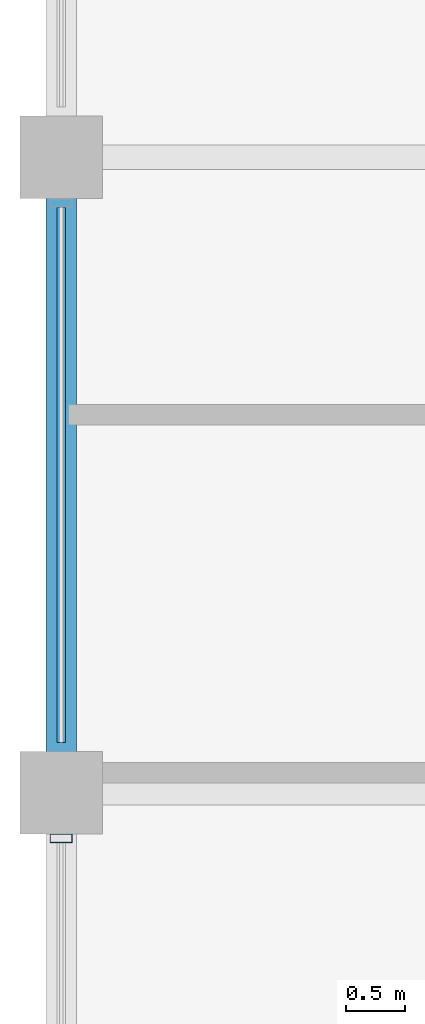
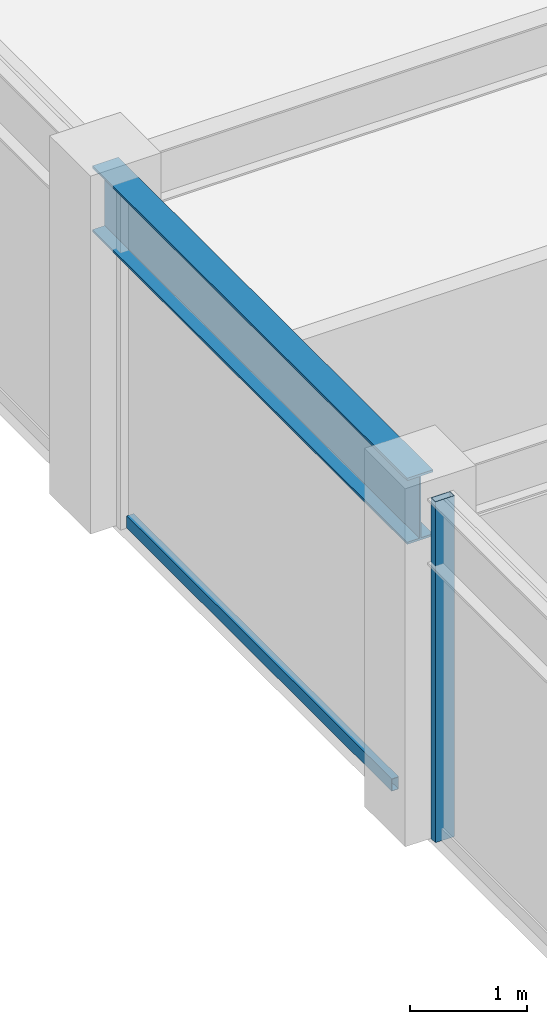
# One storey, part 10 of 30: 2 members, 1 beam, 1 element without a shape of its own.
"""IFC4 building model written with IfcOpenShell, lengths in metres."""

from ifc_helpers import new_model, si_unit, direction, frame, origin, origin_2d, place, context, subcontext, project, spatial, hollow_rectangle, i_section, extrude, material, layer, layer_set, material_profile, profile_set, type_object, element, aggregate, save


model = new_model("IFC4")

# Units and contexts
model_context = context("Model", 3, precision=1e-05, world=origin(), true_north=direction((0.0, 1.0)))
body_context = subcontext(model_context, "Body", "Model", "MODEL_VIEW")
ifc_project = project(units=[si_unit("LENGTHUNIT", "METRE"), si_unit("AREAUNIT", "SQUARE_METRE"), si_unit("VOLUMEUNIT", "CUBIC_METRE"), si_unit("PLANEANGLEUNIT", "RADIAN"), si_unit("MASSUNIT", "GRAM", prefix="KILO")], contexts=[model_context])

# Site, building, storey
site_placement = place(None, origin())
site = spatial("IfcSite", under=ifc_project, at=site_placement, CompositionType="ELEMENT")
building_placement = place(site_placement, origin())
building = spatial("IfcBuilding", under=site, at=building_placement, Name="Surkhivell Harbour Commons", CompositionType="ELEMENT")
storey_placement = place(building_placement, frame((0.0, 0.0, 300.0)))
storey = spatial("IfcBuildingStorey", under=building, at=storey_placement, Name="L78", CompositionType="ELEMENT", Elevation=300.0)

# Beam
ifc_material_1 = material(Name="Steel S355", Category="steel")
ifc_material_profile_1 = material_profile(ifc_material_1, i_section(OverallWidth=0.256103515625, OverallDepth=0.693115234375, WebThickness=0.014404296875, FlangeThickness=0.023681640625, at=origin_2d()), Name="UB686x254x170")
ifc_profile_set_1 = profile_set([ifc_material_profile_1], Name="Steel S355")
beam_type = type_object("IfcBeamType", Name="BM-SPN-686", PredefinedType="SPANDREL", material=ifc_profile_set_1)
beam_placement = place(storey_placement, frame((-27.0, 5.39990234375, 3.223388671875), z_axis=(0.0, 1.0, 0.0), x_axis=(-1.0, 0.0, 0.0)))
element("IfcBeam", 1, at=beam_placement, inside=storey, type_object=beam_type, Name="L78 Tube Spandrel (-27.0,5.4)", PredefinedType="SPANDREL", context=body_context, shape_type="SweptSolid", body=[
    extrude(i_section(OverallWidth=0.256103515625, OverallDepth=0.693115234375, WebThickness=0.014404296875, FlangeThickness=0.023681640625, at=origin_2d()), origin(), (0.0, 0.0, 1.0), 5.400146484375),
])

# Curtain wall, members
ifc_material_2 = material(Name="Anodised pale-metal aluminium and insulated glazing", Category="aluminium")
ifc_layer = layer(ifc_material_2, 0.175048828125)
ifc_layer_set = layer_set([ifc_layer], Name="Anodised pale-metal aluminium and insulated glazing")
curtain_wall_type = type_object("IfcCurtainWallType", Name="CW-SYS-Z4", PredefinedType="NOTDEFINED", material=ifc_layer_set)
curtain_wall_placement = place(storey_placement, origin())
curtain_wall = element("IfcCurtainWall", 2, at=curtain_wall_placement, inside=storey, type_object=curtain_wall_type, Name="L78 Curtain Wall CW-L78-E12S1", PredefinedType="NOTDEFINED")
ifc_material_3 = material(Name="Anodised pale-metal aluminium alloy 6063-T6", Category="aluminium")
ifc_material_profile_2 = material_profile(ifc_material_3, hollow_rectangle(XDim=0.074951171875, YDim=0.18994140625, WallThickness=0.00390625, at=origin_2d()), Name="ALU-MULL-75x190")
ifc_profile_set_2 = profile_set([ifc_material_profile_2], Name="Anodised pale-metal aluminium alloy 6063-T6")
member_type_1 = type_object("IfcMemberType", Name="CWM-190", PredefinedType="MULLION", material=ifc_profile_set_2)
member_1_placement = place(storey_placement, frame((-27.0, 5.010498046875, 0.0), z_axis=(0.0, 0.0, 1.0), x_axis=(0.0, -1.0, 0.0)))
member_1 = element("IfcMember", 3, at=member_1_placement, type_object=member_type_1, Name="CW-Z4 mullion 4", PredefinedType="MULLION", context=body_context, shape_type="SweptSolid", body=[
    extrude(hollow_rectangle(XDim=0.074951171875, YDim=0.18994140625, WallThickness=0.00390625, at=origin_2d()), origin(), (0.0, 0.0, 1.0), 3.570068359375),
])
ifc_material_4 = material(Name="Champagne anodised aluminium alloy 6063-T6", Category="aluminium")
ifc_material_profile_3 = material_profile(ifc_material_4, hollow_rectangle(XDim=0.070068359375, YDim=0.1298828125, WallThickness=0.00341796875, at=origin_2d()), Name="ALU-TRAN-70x130")
ifc_profile_set_3 = profile_set([ifc_material_profile_3], Name="Champagne anodised aluminium alloy 6063-T6")
member_type_2 = type_object("IfcMemberType", Name="CWT-130", PredefinedType="USERDEFINED", material=ifc_profile_set_3)
member_2_placement = place(storey_placement, frame((-27.0, 10.373046875, 0.06494140625), z_axis=(0.0, -1.0, 0.0), x_axis=(1.0, 0.0, 0.0)))
member_2 = element("IfcMember", 4, at=member_2_placement, type_object=member_type_2, Name="CW-Z4 transom 3.1", ObjectType="TRANSOM", PredefinedType="USERDEFINED", context=body_context, shape_type="SweptSolid", body=[
    extrude(hollow_rectangle(XDim=0.070068359375, YDim=0.1298828125, WallThickness=0.00341796875, at=origin_2d()), origin(), (0.0, 0.0, 1.0), 4.546142578125),
])
aggregate(curtain_wall, [member_2, member_1])

save(model, "model.ifc")
